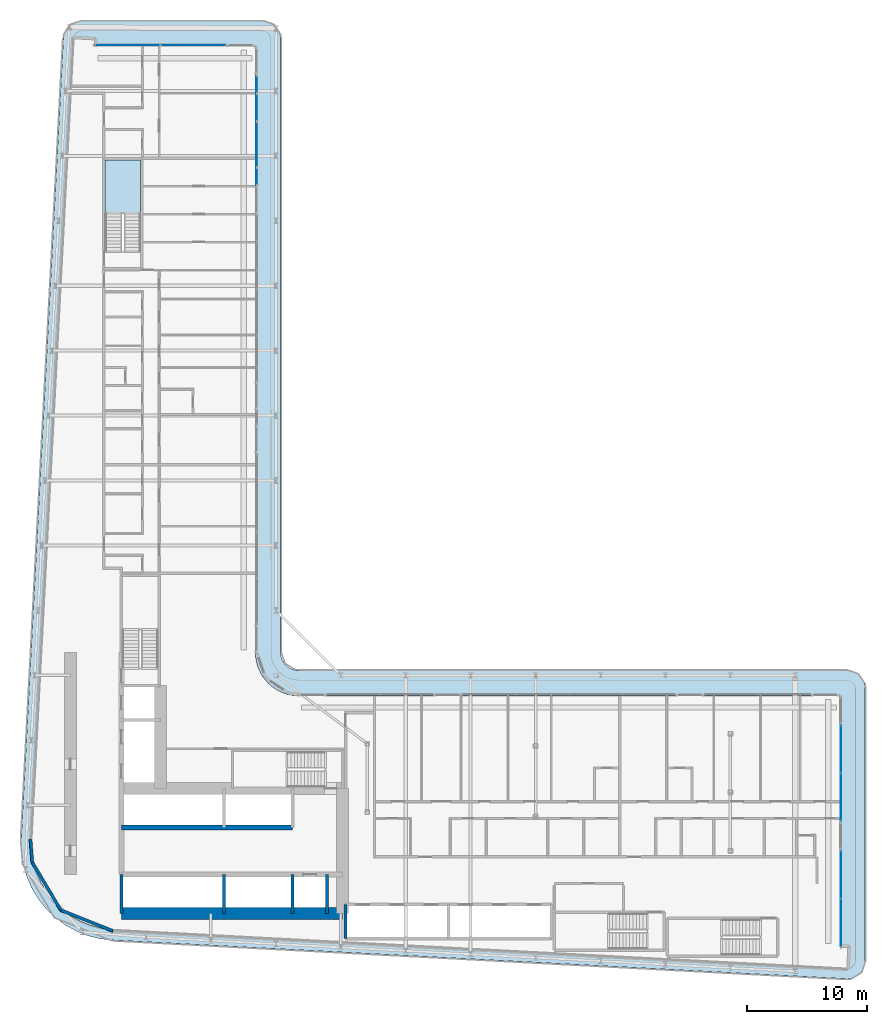
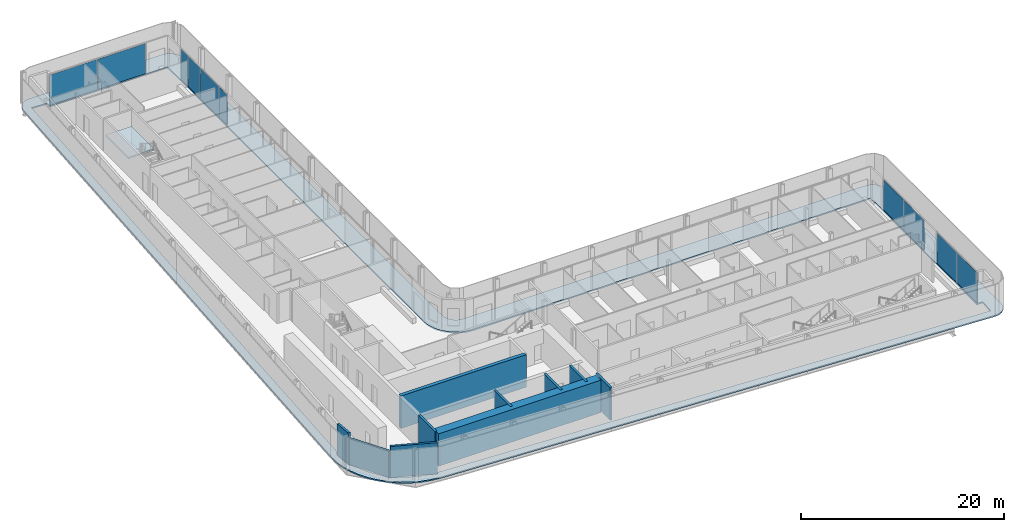
# One storey, part 12 of 27: 10 plates, 10 walls, 2 slabs, 6 elements without a shape of their own.
"""IFC4 building model written with IfcOpenShell, lengths in metres."""

from ifc_helpers import new_model, si_unit, direction, frame, frame_2d, origin, origin_2d, place, context, subcontext, project, spatial, polyline, rectangle, outline, extrude, material, layer, layer_set, type_object, element, aggregate, save


model = new_model("IFC4")

# Units and contexts
model_context = context("Model", 3, precision=1e-05, world=origin(), true_north=direction((0.0, 1.0)))
body_context = subcontext(model_context, "Body", "Model", "MODEL_VIEW")
ifc_project = project(units=[si_unit("LENGTHUNIT", "METRE"), si_unit("AREAUNIT", "SQUARE_METRE"), si_unit("VOLUMEUNIT", "CUBIC_METRE"), si_unit("PLANEANGLEUNIT", "RADIAN"), si_unit("MASSUNIT", "GRAM", prefix="KILO")], contexts=[model_context])

# Site, building, storey
site_placement = place(None, origin())
site = spatial("IfcSite", under=ifc_project, at=site_placement, CompositionType="ELEMENT")
building_placement = place(site_placement, origin())
building = spatial("IfcBuilding", under=site, at=building_placement, Name="Kheshtan School and Residences Tower", CompositionType="ELEMENT")
storey_placement = place(building_placement, frame((0.0, 0.0, 50.0)))
storey = spatial("IfcBuildingStorey", under=building, at=storey_placement, Name="L11", CompositionType="ELEMENT", Elevation=50.0)

# Curtain wall, plates
ifc_material_1 = material(Name="Clear low-e glass in thermally broken aluminium frame", Category="aluminium")
ifc_layer_1 = layer(ifc_material_1, 0.199951171875)
ifc_layer_set_1 = layer_set([ifc_layer_1], Name="Curtain wall CW-L")
curtain_wall_type = type_object("IfcCurtainWallType", Name="Curtain wall CW-L", PredefinedType="NOTDEFINED", material=ifc_layer_set_1)
curtain_wall_1_placement = place(storey_placement, origin())
curtain_wall_1 = element("IfcCurtainWall", 1, at=curtain_wall_1_placement, inside=storey, type_object=curtain_wall_type, Name="Curtain wall CWL7", PredefinedType="NOTDEFINED")
ifc_layer_2 = layer(ifc_material_1, 0.031982421875)
ifc_layer_set_2 = layer_set([ifc_layer_2], Name="CW-L glass panel")
plate_type = type_object("IfcPlateType", Name="CW-L glass panel", PredefinedType="CURTAIN_PANEL", material=ifc_layer_set_2)
plate_1_placement = place(storey_placement, frame((35.259033203125, 98.0, 0.0), z_axis=(0.0, 0.0, 1.0), x_axis=(1.0, 0.0, 0.0)))
plate_1 = element("IfcPlate", 2, at=plate_1_placement, type_object=plate_type, Name="CWL7 panel 1.1", PredefinedType="CURTAIN_PANEL", context=body_context, shape_type="SweptSolid", body=[
    extrude(rectangle(XDim=5.4140625, YDim=0.031982421875, at=origin_2d()), origin(), (0.0, 0.0, 1.0), 3.6298828125),
])
plate_2_placement = place(storey_placement, frame((40.73291015625, 98.0, 0.0), z_axis=(0.0, 0.0, 1.0), x_axis=(1.0, 0.0, 0.0)))
plate_2 = element("IfcPlate", 3, at=plate_2_placement, type_object=plate_type, Name="CWL7 panel 2.1", PredefinedType="CURTAIN_PANEL", context=body_context, shape_type="SweptSolid", body=[
    extrude(rectangle(XDim=5.4140625, YDim=0.031982421875, at=origin_2d()), origin(), (0.0, 0.0, 1.0), 3.6298828125),
])
aggregate(curtain_wall_1, [plate_1, plate_2])

curtain_wall_2_placement = place(storey_placement, origin())
curtain_wall_2 = element("IfcCurtainWall", 4, at=curtain_wall_2_placement, inside=storey, type_object=curtain_wall_type, Name="Curtain wall CWL8c", PredefinedType="NOTDEFINED")
plate_3_placement = place(storey_placement, frame((46.0, 94.735107421875, 0.0), z_axis=(0.0, 0.0, 1.0), x_axis=(0.0, -1.0, 0.0)))
plate_3 = element("IfcPlate", 5, at=plate_3_placement, type_object=plate_type, Name="CWL8c panel 1.1", PredefinedType="CURTAIN_PANEL", context=body_context, shape_type="SweptSolid", body=[
    extrude(rectangle(XDim=1.409912109375, YDim=0.031982421875, at=origin_2d()), origin(), (0.0, 0.0, 1.0), 3.6298828125),
])
plate_4_placement = place(storey_placement, frame((46.0, 92.826416015625, 0.0), z_axis=(0.0, 0.0, 1.0), x_axis=(0.0, -1.0, 0.0)))
plate_4 = element("IfcPlate", 6, at=plate_4_placement, type_object=plate_type, Name="CWL8c panel 2.1", PredefinedType="CURTAIN_PANEL", context=body_context, shape_type="SweptSolid", body=[
    extrude(rectangle(XDim=2.287109375, YDim=0.031982421875, at=origin_2d()), origin(), (0.0, 0.0, 1.0), 3.6298828125),
])
plate_5_placement = place(storey_placement, frame((46.0, 89.744384765625, 0.0), z_axis=(0.0, 0.0, 1.0), x_axis=(0.0, -1.0, 0.0)))
plate_5 = element("IfcPlate", 7, at=plate_5_placement, type_object=plate_type, Name="CWL8c panel 3.1", PredefinedType="CURTAIN_PANEL", context=body_context, shape_type="SweptSolid", body=[
    extrude(rectangle(XDim=3.757080078125, YDim=0.031982421875, at=origin_2d()), origin(), (0.0, 0.0, 1.0), 3.6298828125),
])
aggregate(curtain_wall_2, [plate_3, plate_4, plate_5])

# Curtain wall, plate
curtain_wall_3_placement = place(storey_placement, origin())
curtain_wall_3 = element("IfcCurtainWall", 8, at=curtain_wall_3_placement, inside=storey, type_object=curtain_wall_type, Name="Curtain wall CWL8a", PredefinedType="NOTDEFINED")
plate_6_placement = place(storey_placement, frame((46.0, 87.0859375, 0.0), z_axis=(0.0, 0.0, 1.0), x_axis=(0.0, -1.0, 0.0)))
plate_6 = element("IfcPlate", 9, at=plate_6_placement, type_object=plate_type, Name="CWL8a panel 1.1", PredefinedType="CURTAIN_PANEL", context=body_context, shape_type="SweptSolid", body=[
    extrude(rectangle(XDim=1.43994140625, YDim=0.031982421875, at=origin_2d()), origin(), (0.0, 0.0, 1.0), 3.6298828125),
])
aggregate(curtain_wall_3, [plate_6])

# Curtain wall, plates
curtain_wall_4_placement = place(storey_placement, origin())
curtain_wall_4 = element("IfcCurtainWall", 10, at=curtain_wall_4_placement, inside=storey, type_object=curtain_wall_type, Name="Curtain wall CWL13a", PredefinedType="NOTDEFINED")
plate_7_placement = place(storey_placement, frame((94.60009765625, 39.47216796875, 0.0), z_axis=(0.0, 0.0, 1.0), x_axis=(0.0, -1.0, 0.0)))
plate_7 = element("IfcPlate", 11, at=plate_7_placement, type_object=plate_type, Name="CWL13a panel 1.1", PredefinedType="CURTAIN_PANEL", context=body_context, shape_type="SweptSolid", body=[
    extrude(rectangle(XDim=3.935546875, YDim=0.031982421875, at=origin_2d()), origin(), (0.0, 0.0, 1.0), 3.6298828125),
])
plate_8_placement = place(storey_placement, frame((94.60009765625, 35.476806640625, 0.0), z_axis=(0.0, 0.0, 1.0), x_axis=(0.0, -1.0, 0.0)))
plate_8 = element("IfcPlate", 12, at=plate_8_placement, type_object=plate_type, Name="CWL13a panel 2.1", PredefinedType="CURTAIN_PANEL", context=body_context, shape_type="SweptSolid", body=[
    extrude(rectangle(XDim=3.935546875, YDim=0.031982421875, at=origin_2d()), origin(), (0.0, 0.0, 1.0), 3.6298828125),
])
aggregate(curtain_wall_4, [plate_7, plate_8])

curtain_wall_5_placement = place(storey_placement, origin())
curtain_wall_5 = element("IfcCurtainWall", 13, at=curtain_wall_5_placement, inside=storey, type_object=curtain_wall_type, Name="Curtain wall CWL13a", PredefinedType="NOTDEFINED")
plate_9_placement = place(storey_placement, frame((94.60009765625, 29.021240234375, 0.0), z_axis=(0.0, 0.0, 1.0), x_axis=(0.0, -1.0, 0.0)))
plate_9 = element("IfcPlate", 14, at=plate_9_placement, type_object=plate_type, Name="CWL13a panel 1.1", PredefinedType="CURTAIN_PANEL", context=body_context, shape_type="SweptSolid", body=[
    extrude(rectangle(XDim=3.935546875, YDim=0.031982421875, at=origin_2d()), origin(), (0.0, 0.0, 1.0), 3.6298828125),
])
plate_10_placement = place(storey_placement, frame((94.60009765625, 25.025634765625, 0.0), z_axis=(0.0, 0.0, 1.0), x_axis=(0.0, -1.0, 0.0)))
plate_10 = element("IfcPlate", 15, at=plate_10_placement, type_object=plate_type, Name="CWL13a panel 2.1", PredefinedType="CURTAIN_PANEL", context=body_context, shape_type="SweptSolid", body=[
    extrude(rectangle(XDim=3.935546875, YDim=0.031982421875, at=origin_2d()), origin(), (0.0, 0.0, 1.0), 3.6298828125),
])
aggregate(curtain_wall_5, [plate_9, plate_10])

# Slab
ifc_material_2 = material(Name="Concrete C40/50", Category="concrete")
ifc_layer_3 = layer(ifc_material_2, 0.14990234375)
ifc_layer_set_3 = layer_set([ifc_layer_3], Name="Loggia balcony slab 150 Concrete C40/50")
slab_type_1 = type_object("IfcSlabType", Name="Loggia balcony slab 150 Concrete C40/50", PredefinedType="FLOOR", material=ifc_layer_set_3)
slab_1_placement = place(storey_placement, frame((0.0, 0.0, -0.14990234375)))
element("IfcSlab", 16, at=slab_1_placement, inside=storey, type_object=slab_type_1, Name="Loggia balcony slab L11", PredefinedType="FLOOR", context=body_context, shape_type="SweptSolid", body=[
    extrude(outline(polyline([(28.4580078125, 26.222900390625), (28.45703125, 26.222900390625), (28.45703125, 26.22412109375), (28.4560546875, 26.22412109375), (27.81494140625, 27.0390625), (27.281005859375, 27.93798828125), (26.867919921875, 28.89990234375), (26.583984375, 29.89990234375), (26.583984375, 29.906982421875), (26.43408203125, 30.943115234375), (26.419921875, 31.989013671875), (29.925048828125, 98.5791015625), (29.930908203125, 98.626953125), (29.930908203125, 98.6279296875), (29.929931640625, 98.6279296875), (29.929931640625, 98.62890625), (29.928955078125, 98.62890625), (29.928955078125, 98.6298828125), (29.927978515625, 98.6298828125), (29.927978515625, 98.631103515625), (29.927001953125, 98.631103515625), (29.927001953125, 98.632080078125), (29.927001953125, 98.633056640625), (29.945068359375, 98.781005859375), (29.945068359375, 98.783935546875), (29.945068359375, 98.784912109375), (29.946044921875, 98.784912109375), (29.946044921875, 98.785888671875), (29.947021484375, 98.785888671875), (29.947021484375, 98.787109375), (29.947998046875, 98.787109375), (29.948974609375, 98.787109375), (29.948974609375, 98.7880859375), (29.949951171875, 98.7880859375), (29.949951171875, 98.7890625), (29.949951171875, 98.791015625), (30.0029296875, 98.98388671875), (30.083984375, 99.175048828125), (30.18896484375, 99.35302734375), (30.31103515625, 99.507080078125), (30.31201171875, 99.507080078125), (30.31201171875, 99.508056640625), (30.31298828125, 99.508056640625), (30.31298828125, 99.509033203125), (30.31396484375, 99.509033203125), (30.31396484375, 99.510009765625), (30.31494140625, 99.510009765625), (30.31494140625, 99.510986328125), (30.31591796875, 99.510986328125), (30.31591796875, 99.511962890625), (30.31689453125, 99.511962890625), (30.31689453125, 99.512939453125), (30.318115234375, 99.512939453125), (30.320068359375, 99.512939453125), (30.321044921875, 99.512939453125), (30.321044921875, 99.513916015625), (30.468017578125, 99.656982421875), (30.468994140625, 99.656982421875), (30.468994140625, 99.657958984375), (30.469970703125, 99.657958984375), (30.469970703125, 99.658935546875), (30.470947265625, 99.658935546875), (30.470947265625, 99.659912109375), (30.471923828125, 99.659912109375), (30.471923828125, 99.660888671875), (30.472900390625, 99.660888671875), (30.472900390625, 99.662109375), (30.47412109375, 99.662109375), (30.47412109375, 99.6630859375), (30.47509765625, 99.6630859375), (30.47509765625, 99.6640625), (30.635986328125, 99.777099609375), (30.820068359375, 99.873046875), (31.007080078125, 99.943115234375), (31.013916015625, 99.943115234375), (31.217041015625, 99.986083984375), (31.423095703125, 100.0), (46.5, 100.0), (46.696044921875, 99.987060546875), (46.887939453125, 99.948974609375), (46.89501953125, 99.948974609375), (47.073974609375, 99.885986328125), (47.242919921875, 99.801025390625), (47.243896484375, 99.801025390625), (47.2470703125, 99.801025390625), (47.248046875, 99.801025390625), (47.248046875, 99.802001953125), (47.2490234375, 99.802001953125), (47.2490234375, 99.802978515625), (47.25, 99.802978515625), (47.2529296875, 99.802978515625), (47.25390625, 99.802978515625), (47.25390625, 99.802001953125), (47.2548828125, 99.802001953125), (47.2548828125, 99.801025390625), (47.256103515625, 99.801025390625), (47.256103515625, 99.800048828125), (47.257080078125, 99.800048828125), (47.257080078125, 99.799072265625), (47.258056640625, 99.799072265625), (47.258056640625, 99.798095703125), (47.412109375, 99.696044921875), (47.4130859375, 99.696044921875), (47.4130859375, 99.695068359375), (47.4140625, 99.695068359375), (47.4140625, 99.694091796875), (47.4140625, 99.68994140625), (47.4140625, 99.68896484375), (47.4150390625, 99.68896484375), (47.4150390625, 99.68798828125), (47.416015625, 99.68798828125), (47.416015625, 99.68701171875), (47.4169921875, 99.68701171875), (47.4169921875, 99.68603515625), (47.554931640625, 99.568115234375), (47.554931640625, 99.56689453125), (47.555908203125, 99.56689453125), (47.555908203125, 99.56591796875), (47.556884765625, 99.56591796875), (47.556884765625, 99.56494140625), (47.55810546875, 99.56494140625), (47.55810546875, 99.56396484375), (47.55908203125, 99.56396484375), (47.55908203125, 99.56298828125), (47.56005859375, 99.56298828125), (47.56005859375, 99.56201171875), (47.56103515625, 99.56201171875), (47.56201171875, 99.56103515625), (47.56201171875, 99.56005859375), (47.56298828125, 99.56005859375), (47.56298828125, 99.55908203125), (47.56396484375, 99.55908203125), (47.56396484375, 99.55810546875), (47.56494140625, 99.55810546875), (47.56494140625, 99.556884765625), (47.56591796875, 99.556884765625), (47.56591796875, 99.555908203125), (47.56689453125, 99.555908203125), (47.56689453125, 99.554931640625), (47.568115234375, 99.554931640625), (47.68505859375, 99.41796875), (47.68603515625, 99.41796875), (47.68603515625, 99.4169921875), (47.68701171875, 99.4169921875), (47.68701171875, 99.416015625), (47.68798828125, 99.416015625), (47.68798828125, 99.4150390625), (47.68896484375, 99.4150390625), (47.68896484375, 99.4140625), (47.68994140625, 99.4140625), (47.694091796875, 99.4140625), (47.695068359375, 99.4140625), (47.695068359375, 99.4130859375), (47.696044921875, 99.4130859375), (47.696044921875, 99.412109375), (47.797119140625, 99.259033203125), (47.798095703125, 99.259033203125), (47.798095703125, 99.258056640625), (47.799072265625, 99.258056640625), (47.799072265625, 99.257080078125), (47.800048828125, 99.257080078125), (47.800048828125, 99.256103515625), (47.801025390625, 99.256103515625), (47.801025390625, 99.2548828125), (47.802001953125, 99.2548828125), (47.802001953125, 99.25390625), (47.802978515625, 99.25390625), (47.802978515625, 99.2529296875), (47.802978515625, 99.25), (47.802978515625, 99.2490234375), (47.802001953125, 99.2490234375), (47.802001953125, 99.248046875), (47.801025390625, 99.248046875), (47.801025390625, 99.2470703125), (47.801025390625, 99.243896484375), (47.801025390625, 99.242919921875), (47.885986328125, 99.073974609375), (47.948974609375, 98.89501953125), (47.948974609375, 98.887939453125), (47.987060546875, 98.696044921875), (48.0, 98.5), (48.0, 47.5), (48.012939453125, 47.303955078125), (48.051025390625, 47.113037109375), (48.051025390625, 47.10693359375), (48.051025390625, 47.10595703125), (48.114013671875, 46.926025390625), (48.200927734375, 46.75), (48.31005859375, 46.5869140625), (48.431884765625, 46.444091796875), (48.43310546875, 46.444091796875), (48.43310546875, 46.443115234375), (48.43408203125, 46.443115234375), (48.43408203125, 46.44189453125), (48.43505859375, 46.44189453125), (48.43505859375, 46.44091796875), (48.43603515625, 46.44091796875), (48.43603515625, 46.43994140625), (48.43701171875, 46.43994140625), (48.43701171875, 46.43896484375), (48.43798828125, 46.43896484375), (48.43896484375, 46.43798828125), (48.43896484375, 46.43701171875), (48.43994140625, 46.43701171875), (48.43994140625, 46.43603515625), (48.44091796875, 46.43603515625), (48.44091796875, 46.43505859375), (48.44189453125, 46.43505859375), (48.44189453125, 46.43408203125), (48.443115234375, 46.43408203125), (48.443115234375, 46.43310546875), (48.444091796875, 46.43310546875), (48.444091796875, 46.431884765625), (48.5869140625, 46.31005859375), (48.75, 46.200927734375), (48.926025390625, 46.114013671875), (49.10595703125, 46.051025390625), (49.10693359375, 46.051025390625), (49.113037109375, 46.051025390625), (49.303955078125, 46.012939453125), (49.5, 46.0), (95.10009765625, 46.0), (95.2958984375, 45.987060546875), (95.488037109375, 45.948974609375), (95.4951171875, 45.948974609375), (95.674072265625, 45.885986328125), (95.842041015625, 45.801025390625), (95.843017578125, 45.801025390625), (95.846923828125, 45.801025390625), (95.847900390625, 45.801025390625), (95.847900390625, 45.802001953125), (95.84912109375, 45.802001953125), (95.84912109375, 45.802978515625), (95.85009765625, 45.802978515625), (95.85302734375, 45.802978515625), (95.85400390625, 45.802978515625), (95.85400390625, 45.802001953125), (95.85498046875, 45.802001953125), (95.85498046875, 45.801025390625), (95.85595703125, 45.801025390625), (95.85595703125, 45.800048828125), (95.85693359375, 45.800048828125), (95.85693359375, 45.799072265625), (95.85791015625, 45.799072265625), (95.85791015625, 45.798095703125), (95.85888671875, 45.798095703125), (95.85888671875, 45.797119140625), (95.860107421875, 45.797119140625), (95.860107421875, 45.7958984375), (96.011962890625, 45.696044921875), (96.012939453125, 45.696044921875), (96.012939453125, 45.695068359375), (96.013916015625, 45.695068359375), (96.013916015625, 45.694091796875), (96.013916015625, 45.68994140625), (96.013916015625, 45.68896484375), (96.014892578125, 45.68896484375), (96.014892578125, 45.68798828125), (96.01611328125, 45.68798828125), (96.01611328125, 45.68701171875), (96.01708984375, 45.68701171875), (96.01708984375, 45.68603515625), (96.01806640625, 45.68603515625), (96.01806640625, 45.68505859375), (96.01904296875, 45.68505859375), (96.01904296875, 45.68408203125), (96.155029296875, 45.568115234375), (96.155029296875, 45.56689453125), (96.156005859375, 45.56689453125), (96.156005859375, 45.56591796875), (96.156982421875, 45.56591796875), (96.156982421875, 45.56494140625), (96.157958984375, 45.56494140625), (96.157958984375, 45.56396484375), (96.158935546875, 45.56396484375), (96.158935546875, 45.56298828125), (96.159912109375, 45.56298828125), (96.159912109375, 45.56201171875), (96.160888671875, 45.56201171875), (96.162109375, 45.56103515625), (96.162109375, 45.56005859375), (96.1630859375, 45.56005859375), (96.1630859375, 45.55908203125), (96.1640625, 45.55908203125), (96.1640625, 45.55810546875), (96.1650390625, 45.55810546875), (96.1650390625, 45.556884765625), (96.166015625, 45.556884765625), (96.166015625, 45.555908203125), (96.1669921875, 45.555908203125), (96.1669921875, 45.554931640625), (96.16796875, 45.554931640625), (96.281982421875, 45.4208984375), (96.282958984375, 45.4208984375), (96.282958984375, 45.419921875), (96.283935546875, 45.419921875), (96.283935546875, 45.4189453125), (96.284912109375, 45.4189453125), (96.284912109375, 45.41796875), (96.285888671875, 45.41796875), (96.285888671875, 45.4169921875), (96.287109375, 45.4169921875), (96.287109375, 45.416015625), (96.2880859375, 45.416015625), (96.2880859375, 45.4150390625), (96.2890625, 45.4150390625), (96.2890625, 45.4140625), (96.2900390625, 45.4140625), (96.2939453125, 45.4140625), (96.294921875, 45.4140625), (96.294921875, 45.4130859375), (96.2958984375, 45.4130859375), (96.2958984375, 45.412109375), (96.39404296875, 45.261962890625), (96.39501953125, 45.261962890625), (96.39501953125, 45.260986328125), (96.39599609375, 45.260986328125), (96.39599609375, 45.260009765625), (96.39697265625, 45.260009765625), (96.39697265625, 45.259033203125), (96.39794921875, 45.259033203125), (96.39794921875, 45.258056640625), (96.39892578125, 45.258056640625), (96.39892578125, 45.257080078125), (96.39990234375, 45.257080078125), (96.39990234375, 45.256103515625), (96.40087890625, 45.256103515625), (96.40087890625, 45.2548828125), (96.402099609375, 45.2548828125), (96.402099609375, 45.25390625), (96.403076171875, 45.25390625), (96.403076171875, 45.2529296875), (96.403076171875, 45.25), (96.403076171875, 45.2490234375), (96.402099609375, 45.2490234375), (96.402099609375, 45.248046875), (96.40087890625, 45.248046875), (96.40087890625, 45.2470703125), (96.40087890625, 45.240966796875), (96.40087890625, 45.239990234375), (96.486083984375, 45.073974609375), (96.549072265625, 44.89501953125), (96.549072265625, 44.887939453125), (96.5869140625, 44.696044921875), (96.60009765625, 44.5), (96.60009765625, 21.864990234375), (96.5859375, 21.6630859375), (96.544921875, 21.464111328125), (96.544921875, 21.45703125), (96.47802734375, 21.27294921875), (96.385986328125, 21.093017578125), (96.27099609375, 20.927001953125), (96.27099609375, 20.926025390625), (96.27099609375, 20.925048828125), (96.27099609375, 20.924072265625), (96.27197265625, 20.924072265625), (96.27197265625, 20.923095703125), (96.27197265625, 20.9208984375), (96.27197265625, 20.919921875), (96.27099609375, 20.919921875), (96.27099609375, 20.9189453125), (96.137939453125, 20.77587890625), (96.135009765625, 20.77294921875), (96.134033203125, 20.77294921875), (96.134033203125, 20.77197265625), (96.133056640625, 20.77197265625), (96.131103515625, 20.77197265625), (96.1298828125, 20.77197265625), (96.1298828125, 20.77294921875), (96.12890625, 20.77294921875), (96.1279296875, 20.77294921875), (96.126953125, 20.77294921875), (95.97607421875, 20.64794921875), (95.803955078125, 20.541015625), (95.618896484375, 20.4580078125), (95.430908203125, 20.40087890625), (95.424072265625, 20.40087890625), (95.22412109375, 20.3701171875), (95.02099609375, 20.366943359375), (33.989013671875, 23.580078125), (33.94189453125, 23.5859375), (33.94091796875, 23.5859375), (33.93994140625, 23.5859375), (33.93994140625, 23.5849609375), (33.93896484375, 23.5849609375), (33.93896484375, 23.583984375), (33.93798828125, 23.583984375), (33.93798828125, 23.5830078125), (33.93701171875, 23.5830078125), (33.93701171875, 23.58203125), (33.93603515625, 23.58203125), (33.93505859375, 23.58203125), (32.952880859375, 23.697998046875), (32.949951171875, 23.697998046875), (32.948974609375, 23.697998046875), (32.948974609375, 23.698974609375), (32.947998046875, 23.698974609375), (32.947998046875, 23.699951171875), (32.947021484375, 23.699951171875), (32.947021484375, 23.700927734375), (32.947021484375, 23.702880859375), (32.947021484375, 23.7041015625), (32.946044921875, 23.7041015625), (32.946044921875, 23.705078125), (32.945068359375, 23.705078125), (32.944091796875, 23.705078125), (31.93603515625, 23.9609375), (31.928955078125, 23.9609375), (30.964111328125, 24.34912109375), (30.051025390625, 24.860107421875), (29.218994140625, 25.47900390625), (29.218994140625, 25.47998046875), (29.218017578125, 25.47998046875), (29.218017578125, 25.48095703125), (29.217041015625, 25.48095703125), (29.217041015625, 25.48193359375), (29.216064453125, 25.48193359375), (29.216064453125, 25.48291015625), (29.215087890625, 25.48291015625), (29.215087890625, 25.48388671875), (29.214111328125, 25.48388671875), (29.214111328125, 25.485107421875), (29.212890625, 25.485107421875), (29.212890625, 25.486083984375), (29.2119140625, 25.486083984375), (28.466064453125, 26.217041015625), (28.466064453125, 26.218017578125), (28.465087890625, 26.218017578125), (28.462890625, 26.218017578125), (28.4619140625, 26.218017578125), (28.4619140625, 26.218994140625), (28.4609375, 26.218994140625), (28.4609375, 26.219970703125), (28.4599609375, 26.219970703125), (28.4599609375, 26.220947265625), (28.458984375, 26.220947265625), (28.458984375, 26.221923828125), (28.4580078125, 26.221923828125), (28.4580078125, 26.222900390625)]), holes=[polyline([(29.12890625, 26.824951171875), (29.12890625, 26.823974609375), (29.1298828125, 26.823974609375), (29.1298828125, 26.822998046875), (29.131103515625, 26.822998046875), (29.131103515625, 26.822021484375), (29.132080078125, 26.822021484375), (29.132080078125, 26.821044921875), (29.133056640625, 26.821044921875), (29.133056640625, 26.820068359375), (29.134033203125, 26.820068359375), (29.794921875, 26.173095703125), (29.794921875, 26.172119140625), (29.7958984375, 26.172119140625), (29.798095703125, 26.172119140625), (29.799072265625, 26.172119140625), (29.799072265625, 26.1708984375), (29.800048828125, 26.1708984375), (29.800048828125, 26.169921875), (29.801025390625, 26.169921875), (29.801025390625, 26.1689453125), (29.802001953125, 26.1689453125), (29.802001953125, 26.16796875), (29.802978515625, 26.16796875), (29.802978515625, 26.1669921875), (29.803955078125, 26.1669921875), (29.803955078125, 26.166015625), (30.541015625, 25.616943359375), (31.35205078125, 25.1630859375), (32.208984375, 24.819091796875), (32.2099609375, 24.819091796875), (32.216064453125, 24.819091796875), (33.114990234375, 24.590087890625), (34.06591796875, 24.47705078125), (95.0380859375, 21.26708984375), (95.06494140625, 21.26806640625), (95.06591796875, 21.26806640625), (95.06689453125, 21.26806640625), (95.06689453125, 21.26904296875), (95.068115234375, 21.26904296875), (95.068115234375, 21.27001953125), (95.068115234375, 21.27099609375), (95.157958984375, 22.9599609375), (95.157958984375, 22.9609375), (95.157958984375, 22.9619140625), (95.156982421875, 22.9619140625), (95.156982421875, 22.962890625), (95.156005859375, 22.962890625), (95.155029296875, 22.962890625), (94.5009765625, 22.998046875), (94.5, 22.998046875), (94.5, 22.9990234375), (94.5, 43.89794921875), (94.5, 43.89892578125), (94.4990234375, 43.89892578125), (94.4990234375, 43.89990234375), (94.498046875, 43.89990234375), (49.429931640625, 43.89990234375), (49.030029296875, 43.927001953125), (48.569091796875, 44.01806640625), (48.56201171875, 44.01806640625), (48.1201171875, 44.169921875), (47.697021484375, 44.37890625), (47.30810546875, 44.638916015625), (46.95703125, 44.944091796875), (46.95703125, 44.945068359375), (46.9560546875, 44.945068359375), (46.9560546875, 44.946044921875), (46.955078125, 44.946044921875), (46.955078125, 44.947021484375), (46.9541015625, 44.947021484375), (46.9541015625, 44.947998046875), (46.952880859375, 44.947998046875), (46.952880859375, 44.948974609375), (46.951904296875, 44.948974609375), (46.951904296875, 44.949951171875), (46.951904296875, 44.950927734375), (46.950927734375, 44.950927734375), (46.950927734375, 44.951904296875), (46.949951171875, 44.951904296875), (46.948974609375, 44.951904296875), (46.948974609375, 44.952880859375), (46.947998046875, 44.952880859375), (46.947998046875, 44.9541015625), (46.947021484375, 44.9541015625), (46.947021484375, 44.955078125), (46.946044921875, 44.955078125), (46.946044921875, 44.9560546875), (46.945068359375, 44.9560546875), (46.945068359375, 44.95703125), (46.944091796875, 44.95703125), (46.638916015625, 45.30810546875), (46.37890625, 45.697021484375), (46.169921875, 46.1201171875), (46.01806640625, 46.56201171875), (46.01806640625, 46.569091796875), (45.927001953125, 47.030029296875), (45.89990234375, 47.429931640625), (45.89990234375, 97.89794921875), (45.89990234375, 97.89892578125), (45.89892578125, 97.89892578125), (45.89892578125, 97.89990234375), (45.89794921875, 97.89990234375), (32.492919921875, 97.89990234375), (32.491943359375, 97.89990234375), (32.52099609375, 98.43896484375), (32.52099609375, 98.43994140625), (32.52099609375, 98.44091796875), (32.52001953125, 98.44091796875), (32.52001953125, 98.44189453125), (32.51904296875, 98.44189453125), (32.51806640625, 98.44189453125), (30.8291015625, 98.531982421875), (30.827880859375, 98.531982421875), (30.826904296875, 98.531982421875), (30.826904296875, 98.531005859375), (30.825927734375, 98.531005859375), (30.825927734375, 98.530029296875), (30.825927734375, 98.529052734375), (30.822021484375, 98.5009765625), (27.320068359375, 31.970947265625), (27.3330078125, 31.013916015625), (27.466064453125, 30.093994140625), (27.466064453125, 30.087890625), (27.466064453125, 30.0869140625), (27.718017578125, 29.200927734375), (28.0849609375, 28.345947265625), (28.55908203125, 27.550048828125), (29.126953125, 26.825927734375), (29.1279296875, 26.825927734375), (29.1279296875, 26.824951171875), (29.12890625, 26.824951171875)])]), origin(), (0.0, 0.0, 1.0), 0.14990234375),
])

# Stair, slab
stair_type = type_object("IfcStairType", Name="Exit stair, half-turn", PredefinedType="HALF_TURN_STAIR", material=ifc_material_2)
stair_placement = place(storey_placement, origin())
stair = element("IfcStair", 17, at=stair_placement, inside=storey, type_object=stair_type, Name="L11 Protected Exit Stair ST3", PredefinedType="HALF_TURN_STAIR")
ifc_layer_4 = layer(ifc_material_2, 0.199951171875)
ifc_layer_set_4 = layer_set([ifc_layer_4], Name="Stair landing 200 Concrete C40/50")
slab_type_2 = type_object("IfcSlabType", Name="Stair landing 200 Concrete C40/50", PredefinedType="LANDING", material=ifc_layer_set_4)
slab_2_placement = place(storey_placement, frame((0.0, 0.0, 1.75)))
slab_2 = element("IfcSlab", 18, at=slab_2_placement, type_object=slab_type_2, Name="ST3 landing 1", PredefinedType="LANDING", context=body_context, shape_type="SweptSolid", body=[
    extrude(outline(polyline([(36.35009765625, 83.97998046875), (36.35009765625, 88.4599609375), (33.39990234375, 88.4599609375), (33.39990234375, 83.97998046875), (36.35009765625, 83.97998046875)])), origin(), (0.0, 0.0, 1.0), 0.199951171875),
])
aggregate(stair, [slab_2])

# Walls
ifc_material_3 = material(Name="Concrete C80/95", Category="concrete")
ifc_layer_5 = layer(ifc_material_3, 1.0)
ifc_layer_set_5 = layer_set([ifc_layer_5], Name="Core wall 1000 Concrete C80/95")
wall_type_1 = type_object("IfcWallType", Name="Core wall 1000 Concrete C80/95", PredefinedType="SHEAR", material=ifc_layer_set_5)
wall_1_placement = place(storey_placement, frame((34.75, 25.800048828125, 0.0), z_axis=(0.0, 0.0, 1.0), x_axis=(1.0, 0.0, 0.0)))
element("IfcWall", 19, at=wall_1_placement, inside=storey, type_object=wall_type_1, Name="Core wall CW-REAR-S", PredefinedType="SHEAR", context=body_context, shape_type="SweptSolid", body=[
    extrude(rectangle(XDim=18.39990234375, YDim=1.0, at=frame_2d((9.199951171875, 0.0))), origin(), (0.0, 0.0, 1.0), 3.89990234375),
])
ifc_material_4 = material(Name="Concrete C50/60", Category="concrete")
ifc_layer_6 = layer(ifc_material_4, 0.39990234375)
ifc_layer_set_6 = layer_set([ifc_layer_6], Name="Core wall 400 Concrete C50/60")
wall_type_2 = type_object("IfcWallType", Name="Core wall 400 Concrete C50/60", PredefinedType="SHEAR", material=ifc_layer_set_6)
wall_2_placement = place(storey_placement, frame((34.75, 32.949951171875, 0.0), z_axis=(0.0, 0.0, 1.0), x_axis=(1.0, 0.0, 0.0)))
element("IfcWall", 20, at=wall_2_placement, inside=storey, type_object=wall_type_2, Name="Core wall CW-HALL-S2", PredefinedType="SHEAR", context=body_context, shape_type="SweptSolid", body=[
    extrude(rectangle(XDim=14.25, YDim=0.39990234375, at=frame_2d((7.125, 0.0))), origin(), (0.0, 0.0, 1.0), 3.89990234375),
])
ifc_material_5 = material(Name="Concrete C40/50 with ceramic cladding and mineral wool insulation", Category="concrete")
ifc_layer_7 = layer(ifc_material_5, 0.25)
ifc_layer_set_7 = layer_set([ifc_layer_7], Name="External wall 250 ceramic clad")
wall_type_3 = type_object("IfcWallType", Name="External wall 250 ceramic clad", PredefinedType="SOLIDWALL", material=ifc_layer_set_7)
wall_3_placement = place(storey_placement, frame((34.0390625, 24.35302734375, 0.0), z_axis=(0.0, 0.0, 1.0), x_axis=(-0.929352825399, 0.369192803184, 0.0)))
element("IfcWall", 21, at=wall_3_placement, inside=storey, type_object=wall_type_3, Name="External wall L11 1", PredefinedType="SOLIDWALL", context=body_context, shape_type="SweptSolid", body=[
    extrude(rectangle(XDim=4.656005859375, YDim=0.25, at=frame_2d((2.328125, 0.0))), origin(), (0.0, 0.0, 1.0), 3.75),
])
wall_4_placement = place(storey_placement, frame((29.7119140625, 26.072021484375, 0.0), z_axis=(0.0, 0.0, 1.0), x_axis=(-0.511028049012, 0.859564036662, 0.0)))
element("IfcWall", 22, at=wall_4_placement, inside=storey, type_object=wall_type_3, Name="External wall L11 2", PredefinedType="SOLIDWALL", context=body_context, shape_type="SweptSolid", body=[
    extrude(rectangle(XDim=4.633544921875, YDim=0.25, at=frame_2d((2.31689453125, 0.0))), origin(), (0.0, 0.0, 1.0), 3.133056640625),
])
wall_5_placement = place(storey_placement, frame((27.343994140625, 30.054931640625, 0.0), z_axis=(0.0, 0.0, 1.0), x_axis=(-0.077571675317, 0.99698677784, 0.0)))
element("IfcWall", 23, at=wall_5_placement, inside=storey, type_object=wall_type_3, Name="External wall L11 3", PredefinedType="SOLIDWALL", context=body_context, shape_type="SweptSolid", body=[
    extrude(rectangle(XDim=1.919921875, YDim=0.25, at=frame_2d((0.9599609375, 0.0))), origin(), (0.0, 0.0, 1.0), 3.75),
])
ifc_material_6 = material(Name="Fire-board shaft wall system")
ifc_layer_8 = layer(ifc_material_6, 0.25)
ifc_layer_set_8 = layer_set([ifc_layer_8], Name="Shaft lining wall 250")
wall_type_4 = type_object("IfcWallType", Name="Shaft lining wall 250", PredefinedType="PARTITIONING", material=ifc_layer_set_8)
for number, where, z_axis, x_axis, name in (
    (24, (34.75, 25.800048828125, 0.0), (0.0, 0.0, 1.0), (0.0, 1.0, 0.0), "Shaft lining wall"),
    (25, (43.300048828125, 25.800048828125, 0.0), (0.0, 0.0, 1.0), (0.0, 1.0, 0.0), "Shaft lining wall"),
    (26, (49.0, 25.800048828125, 0.0), (0.0, 0.0, 1.0), (0.0, 1.0, 0.0), "Shaft lining wall"),
    (27, (51.85009765625, 25.800048828125, 0.0), (0.0, 0.0, 1.0), (0.0, 1.0, 0.0), "Shaft lining wall"),
):
    element("IfcWall", number, at=place(storey_placement, frame(where, z_axis=z_axis, x_axis=x_axis)), inside=storey, type_object=wall_type_4, Name=name, PredefinedType="PARTITIONING", context=body_context, shape_type="SweptSolid", body=[
        extrude(rectangle(XDim=3.25, YDim=0.25, at=frame_2d((1.625, 0.0))), origin(), (0.0, 0.0, 1.0), 3.89990234375),
    ])
wall_6_placement = place(storey_placement, frame((53.39990234375, 23.699951171875, 0.0), z_axis=(0.0, 0.0, 1.0), x_axis=(0.0, 1.0, 0.0)))
element("IfcWall", 28, at=wall_6_placement, inside=storey, type_object=wall_type_4, Name="Shaft lining wall", PredefinedType="PARTITIONING", context=body_context, shape_type="SweptSolid", body=[
    extrude(rectangle(XDim=2.85009765625, YDim=0.25, at=frame_2d((1.425048828125, 0.0))), origin(), (0.0, 0.0, 1.0), 3.89990234375),
])

save(model, "model.ifc")
